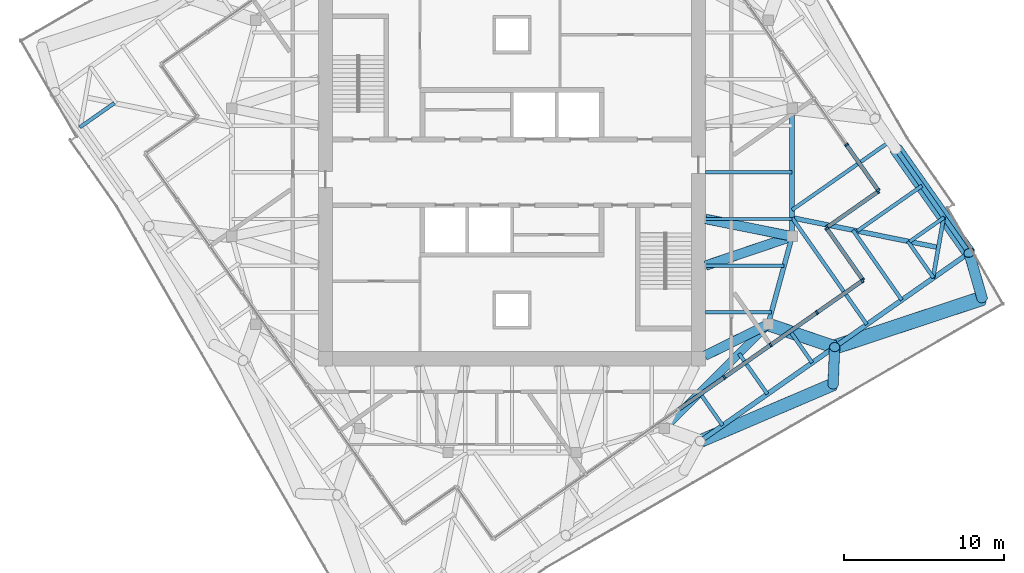
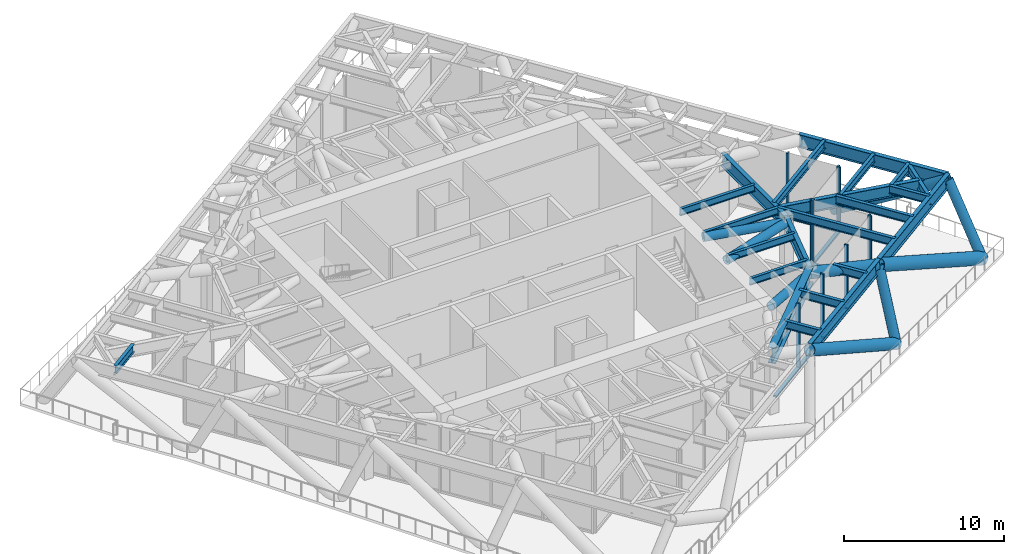
# One storey, part 3 of 16: 26 members, 22 beams, 4 elements without a shape of their own.
"""IFC4 building model written with IfcOpenShell, lengths in metres."""

from ifc_helpers import new_model, si_unit, direction, frame, origin, origin_2d, place, context, subcontext, project, spatial, rectangle, hollow_circle, i_section, extrude, material, material_profile, profile_set, type_object, element, aggregate, save


model = new_model("IFC4")

# Units and contexts
model_context = context("Model", 3, precision=1e-05, world=origin(), true_north=direction((0.0, 1.0)))
body_context = subcontext(model_context, "Body", "Model", "MODEL_VIEW")
ifc_project = project(units=[si_unit("LENGTHUNIT", "METRE"), si_unit("AREAUNIT", "SQUARE_METRE"), si_unit("VOLUMEUNIT", "CUBIC_METRE"), si_unit("PLANEANGLEUNIT", "RADIAN"), si_unit("MASSUNIT", "GRAM", prefix="KILO")], contexts=[model_context])

# Site, building, storey
site_placement = place(None, origin())
site = spatial("IfcSite", under=ifc_project, at=site_placement, CompositionType="ELEMENT")
building_placement = place(site_placement, origin())
building = spatial("IfcBuilding", under=site, at=building_placement, Name="Torsade Residences", CompositionType="ELEMENT")
storey_placement = place(building_placement, frame((0.0, 0.0, 235.39990234375)))
storey = spatial("IfcBuildingStorey", under=building, at=storey_placement, Name="L65", CompositionType="ELEMENT", Elevation=235.39990234375)

# Beams
ifc_material_1 = material(Name="Steel grade 300", Category="steel")
ifc_material_profile_1 = material_profile(ifc_material_1, i_section(OverallWidth=0.300048828125, OverallDepth=0.89990234375, WebThickness=0.011962890625, FlangeThickness=0.02490234375, at=origin_2d()), Name="900WB175")
ifc_profile_set_1 = profile_set([ifc_material_profile_1], Name="Steel grade 300")
beam_type_1 = type_object("IfcBeamType", Name="CORNER GIRDER 900WB175", PredefinedType="BEAM", material=ifc_profile_set_1)
beam_1_placement = place(storey_placement, frame((66.635986328125, 25.303466796875, 4.400146484375), z_axis=(-0.979880626756, 0.199584461589, 0.0), x_axis=(-0.199584461589, -0.979880626756, 0.0)))
element("IfcBeam", 1, at=beam_1_placement, inside=storey, type_object=beam_type_1, Name="Corner girder 05 L66", PredefinedType="BEAM", context=body_context, shape_type="SweptSolid", body=[
    extrude(i_section(OverallWidth=0.300048828125, OverallDepth=0.89990234375, WebThickness=0.011962890625, FlangeThickness=0.02490234375, at=origin_2d()), origin(), (0.0, 0.0, 1.0), 9.323486328125),
])
ifc_material_2 = material(Name="Steel grade 300", Category="steel")
ifc_material_profile_2 = material_profile(ifc_material_2, i_section(OverallWidth=0.25, OverallDepth=0.699951171875, WebThickness=0.010009765625, FlangeThickness=0.02001953125, at=origin_2d()), Name="700WB130")
ifc_profile_set_2 = profile_set([ifc_material_profile_2], Name="Steel grade 300")
beam_type_2 = type_object("IfcBeamType", Name="CORNER TRIMMER 700WB130", PredefinedType="BEAM", material=ifc_profile_set_2)
beam_2_placement = place(storey_placement, frame((66.9736328125, 27.21826171875, 4.5), z_axis=(-0.173645660267, -0.984808196894, 0.0), x_axis=(0.984808196894, -0.173645660267, 0.0)))
element("IfcBeam", 2, at=beam_2_placement, inside=storey, type_object=beam_type_2, Name="Corner trimmer 05 L66", PredefinedType="BEAM", context=body_context, shape_type="SweptSolid", body=[
    extrude(i_section(OverallWidth=0.25, OverallDepth=0.699951171875, WebThickness=0.010009765625, FlangeThickness=0.02001953125, at=origin_2d()), origin(), (0.0, 0.0, 1.0), 3.888916015625),
])

# Curtain wall, members
ifc_material_3 = material(Name="Aluminium and glass", Category="aluminium")
curtain_wall_type = type_object("IfcCurtainWallType", Name="TRANSFER LEVEL CURTAIN WALL HIGH ZONE", PredefinedType="NOTDEFINED", material=ifc_material_3)
curtain_wall_1_placement = place(storey_placement, origin())
curtain_wall_1 = element("IfcCurtainWall", 3, at=curtain_wall_1_placement, inside=storey, type_object=curtain_wall_type, Name="Curtain wall L65 face 1", PredefinedType="NOTDEFINED")
ifc_material_4 = material(Name="Aluminium mullion", Category="aluminium")
ifc_material_profile_3 = material_profile(ifc_material_4, rectangle(XDim=0.25, YDim=0.1201171875, at=origin_2d()), Name="HIGH ZONE TRANSFER CURTAIN WALL MULLION 250x120")
ifc_profile_set_3 = profile_set([ifc_material_profile_3], Name="Aluminium mullion")
member_type_1 = type_object("IfcMemberType", Name="HIGH ZONE TRANSFER CURTAIN WALL MULLION 250x120", PredefinedType="MULLION", material=ifc_profile_set_3)
member_1_placement = place(storey_placement, frame((53.269287109375, 17.1953125, 0.0), z_axis=(0.0, 0.0, 1.0), x_axis=(-0.57357645894, 0.819152028472, 0.0)))
member_1 = element("IfcMember", 4, at=member_1_placement, type_object=member_type_1, Name="Mullion 6", PredefinedType="MULLION", context=body_context, shape_type="SweptSolid", body=[
    extrude(rectangle(XDim=0.25, YDim=0.1201171875, at=origin_2d()), origin(), (0.0, 0.0, 1.0), 5.0),
])
member_2_placement = place(storey_placement, frame((56.15673828125, 19.217041015625, 0.0), z_axis=(0.0, 0.0, 1.0), x_axis=(-0.57357645894, 0.819152028472, 0.0)))
member_2 = element("IfcMember", 5, at=member_2_placement, type_object=member_type_1, Name="Mullion 7", PredefinedType="MULLION", context=body_context, shape_type="SweptSolid", body=[
    extrude(rectangle(XDim=0.25, YDim=0.1201171875, at=origin_2d()), origin(), (0.0, 0.0, 1.0), 5.0),
])
member_3_placement = place(storey_placement, frame((59.044189453125, 21.239013671875, 0.0), z_axis=(0.0, 0.0, 1.0), x_axis=(-0.57357645894, 0.819152028472, 0.0)))
member_3 = element("IfcMember", 6, at=member_3_placement, type_object=member_type_1, Name="Mullion 8", PredefinedType="MULLION", context=body_context, shape_type="SweptSolid", body=[
    extrude(rectangle(XDim=0.25, YDim=0.1201171875, at=origin_2d()), origin(), (0.0, 0.0, 1.0), 5.0),
])
member_4_placement = place(storey_placement, frame((61.882568359375, 23.226318359375, 0.0), z_axis=(0.0, 0.0, 1.0), x_axis=(-0.57357645894, 0.819152028472, 0.0)))
member_4 = element("IfcMember", 7, at=member_4_placement, type_object=member_type_1, Name="Mullion 9", PredefinedType="MULLION", context=body_context, shape_type="SweptSolid", body=[
    extrude(rectangle(XDim=0.25, YDim=0.1201171875, at=origin_2d()), origin(), (0.0, 0.0, 1.0), 5.0),
])

curtain_wall_2_placement = place(storey_placement, origin())
curtain_wall_2 = element("IfcCurtainWall", 8, at=curtain_wall_2_placement, inside=storey, type_object=curtain_wall_type, Name="Curtain wall L65 face 2", PredefinedType="NOTDEFINED")
member_5_placement = place(storey_placement, frame((61.8974609375, 23.309814453125, 0.0), z_axis=(0.0, 0.0, 1.0), x_axis=(-0.819152117278, -0.573576332112, 0.0)))
member_5 = element("IfcMember", 9, at=member_5_placement, type_object=member_type_1, Name="Mullion 1", PredefinedType="MULLION", context=body_context, shape_type="SweptSolid", body=[
    extrude(rectangle(XDim=0.25, YDim=0.1201171875, at=origin_2d()), origin(), (0.0, 0.0, 1.0), 5.0),
])
member_6_placement = place(storey_placement, frame((59.671875, 26.48828125, 0.0), z_axis=(0.0, 0.0, 1.0), x_axis=(-0.819152117278, -0.573576332112, 0.0)))
member_6 = element("IfcMember", 10, at=member_6_placement, type_object=member_type_1, Name="Mullion 2", PredefinedType="MULLION", context=body_context, shape_type="SweptSolid", body=[
    extrude(rectangle(XDim=0.25, YDim=0.1201171875, at=origin_2d()), origin(), (0.0, 0.0, 1.0), 5.0),
])

curtain_wall_3_placement = place(storey_placement, origin())
curtain_wall_3 = element("IfcCurtainWall", 11, at=curtain_wall_3_placement, inside=storey, type_object=curtain_wall_type, Name="Curtain wall L65 face 3", PredefinedType="NOTDEFINED")
member_7_placement = place(storey_placement, frame((59.6865234375, 26.57177734375, 0.0), z_axis=(0.0, 0.0, 1.0), x_axis=(-0.573576499872, 0.819151999811, 0.0)))
member_7 = element("IfcMember", 12, at=member_7_placement, type_object=member_type_1, Name="Mullion 1", PredefinedType="MULLION", context=body_context, shape_type="SweptSolid", body=[
    extrude(rectangle(XDim=0.25, YDim=0.1201171875, at=origin_2d()), origin(), (0.0, 0.0, 1.0), 5.0),
])
member_8_placement = place(storey_placement, frame((62.864990234375, 28.79736328125, 0.0), z_axis=(0.0, 0.0, 1.0), x_axis=(-0.573576499872, 0.819151999811, 0.0)))
member_8 = element("IfcMember", 13, at=member_8_placement, type_object=member_type_1, Name="Mullion 2", PredefinedType="MULLION", context=body_context, shape_type="SweptSolid", body=[
    extrude(rectangle(XDim=0.25, YDim=0.1201171875, at=origin_2d()), origin(), (0.0, 0.0, 1.0), 5.0),
])

curtain_wall_4_placement = place(storey_placement, origin())
curtain_wall_4 = element("IfcCurtainWall", 14, at=curtain_wall_4_placement, inside=storey, type_object=curtain_wall_type, Name="Curtain wall L65 face 4", PredefinedType="NOTDEFINED")
member_9_placement = place(storey_placement, frame((62.879638671875, 28.880859375, 0.0), z_axis=(0.0, 0.0, 1.0), x_axis=(-0.819152028472, -0.57357645894, 0.0)))
member_9 = element("IfcMember", 15, at=member_9_placement, type_object=member_type_1, Name="Mullion 1", PredefinedType="MULLION", context=body_context, shape_type="SweptSolid", body=[
    extrude(rectangle(XDim=0.25, YDim=0.1201171875, at=origin_2d()), origin(), (0.0, 0.0, 1.0), 5.0),
])
member_10_placement = place(storey_placement, frame((60.892333984375, 31.71923828125, 0.0), z_axis=(0.0, 0.0, 1.0), x_axis=(-0.819152028472, -0.57357645894, 0.0)))
member_10 = element("IfcMember", 16, at=member_10_placement, type_object=member_type_1, Name="Mullion 2", PredefinedType="MULLION", context=body_context, shape_type="SweptSolid", body=[
    extrude(rectangle(XDim=0.25, YDim=0.1201171875, at=origin_2d()), origin(), (0.0, 0.0, 1.0), 5.0),
])

# Member
ifc_material_5 = material(Name="Aluminium transom", Category="aluminium")
ifc_material_profile_4 = material_profile(ifc_material_5, rectangle(XDim=0.25, YDim=0.139892578125, at=origin_2d()), Name="HIGH ZONE TRANSFER CURTAIN WALL TRANSOM 250x140")
ifc_profile_set_4 = profile_set([ifc_material_profile_4], Name="Aluminium transom")
member_type_2 = type_object("IfcMemberType", Name="HIGH ZONE TRANSFER CURTAIN WALL TRANSOM 250x140", PredefinedType="USERDEFINED", material=ifc_profile_set_4)
member_11_placement = place(storey_placement, frame((50.430908203125, 15.207763671875, 0.070068359375), z_axis=(0.819147702826, 0.573582636552, 0.0), x_axis=(-0.573582636552, 0.819147702826, 0.0)))
member_11 = element("IfcMember", 17, at=member_11_placement, type_object=member_type_2, Name="Transom 5.1", ObjectType="TRANSOM", PredefinedType="USERDEFINED", context=body_context, shape_type="SweptSolid", body=[
    extrude(rectangle(XDim=0.25, YDim=0.139892578125, at=origin_2d()), origin(), (0.0, 0.0, 1.0), 3.405029296875),
])

member_12_placement = place(storey_placement, frame((53.318359375, 17.229736328125, 0.070068359375), z_axis=(0.819181389945, 0.573534524129, 0.0), x_axis=(-0.573534524129, 0.819181389945, 0.0)))
member_12 = element("IfcMember", 18, at=member_12_placement, type_object=member_type_2, Name="Transom 6.1", ObjectType="TRANSOM", PredefinedType="USERDEFINED", context=body_context, shape_type="SweptSolid", body=[
    extrude(rectangle(XDim=0.25, YDim=0.139892578125, at=origin_2d()), origin(), (0.0, 0.0, 1.0), 3.405029296875),
])

member_13_placement = place(storey_placement, frame((56.205810546875, 19.25146484375, 0.070068359375), z_axis=(0.819147702826, 0.573582636552, 0.0), x_axis=(-0.573582636552, 0.819147702826, 0.0)))
member_13 = element("IfcMember", 19, at=member_13_placement, type_object=member_type_2, Name="Transom 7.1", ObjectType="TRANSOM", PredefinedType="USERDEFINED", context=body_context, shape_type="SweptSolid", body=[
    extrude(rectangle(XDim=0.25, YDim=0.139892578125, at=origin_2d()), origin(), (0.0, 0.0, 1.0), 3.405029296875),
])

member_14_placement = place(storey_placement, frame((59.093505859375, 21.2734375, 0.070068359375), z_axis=(0.819166763085, 0.573555415158, 0.0), x_axis=(-0.573555415158, 0.819166763085, 0.0)))
member_14 = element("IfcMember", 20, at=member_14_placement, type_object=member_type_2, Name="Transom 8.1", ObjectType="TRANSOM", PredefinedType="USERDEFINED", context=body_context, shape_type="SweptSolid", body=[
    extrude(rectangle(XDim=0.25, YDim=0.139892578125, at=origin_2d()), origin(), (0.0, 0.0, 1.0), 3.344970703125),
])

aggregate(curtain_wall_1, [member_1, member_2, member_3, member_4, member_11, member_12, member_13, member_14])

member_15_placement = place(storey_placement, frame((61.863037109375, 23.359130859375, 0.070068359375), z_axis=(-0.573614860738, 0.8191251379, 0.0), x_axis=(-0.8191251379, -0.573614860738, 0.0)))
member_15 = element("IfcMember", 21, at=member_15_placement, type_object=member_type_2, Name="Transom 1.1", ObjectType="TRANSOM", PredefinedType="USERDEFINED", context=body_context, shape_type="SweptSolid", body=[
    extrude(rectangle(XDim=0.25, YDim=0.139892578125, at=origin_2d()), origin(), (0.0, 0.0, 1.0), 3.760009765625),
])

aggregate(curtain_wall_2, [member_5, member_6, member_15])

member_16_placement = place(storey_placement, frame((59.73583984375, 26.606201171875, 0.070068359375), z_axis=(0.8191251379, 0.573614860738, 0.0), x_axis=(-0.573614860738, 0.8191251379, 0.0)))
member_16 = element("IfcMember", 22, at=member_16_placement, type_object=member_type_2, Name="Transom 1.1", ObjectType="TRANSOM", PredefinedType="USERDEFINED", context=body_context, shape_type="SweptSolid", body=[
    extrude(rectangle(XDim=0.25, YDim=0.139892578125, at=origin_2d()), origin(), (0.0, 0.0, 1.0), 3.760009765625),
])

aggregate(curtain_wall_3, [member_7, member_8, member_16])

member_17_placement = place(storey_placement, frame((62.84521484375, 28.929931640625, 0.070068359375), z_axis=(-0.573521123265, 0.819190772146, 0.0), x_axis=(-0.819190772146, -0.573521123265, 0.0)))
member_17 = element("IfcMember", 23, at=member_17_placement, type_object=member_type_2, Name="Transom 1.1", ObjectType="TRANSOM", PredefinedType="USERDEFINED", context=body_context, shape_type="SweptSolid", body=[
    extrude(rectangle(XDim=0.25, YDim=0.139892578125, at=origin_2d()), origin(), (0.0, 0.0, 1.0), 3.344970703125),
])

aggregate(curtain_wall_4, [member_9, member_10, member_17])

# Beams
ifc_material_6 = material(Name="Steel grade 300", Category="steel")
ifc_material_profile_5 = material_profile(ifc_material_6, i_section(OverallWidth=0.208984375, OverallDepth=0.528076171875, WebThickness=0.009521484375, FlangeThickness=0.01318359375, FilletRadius=0.013916015625, at=origin_2d()), Name="530UB82.0")
ifc_profile_set_5 = profile_set([ifc_material_profile_5], Name="Steel grade 300")
beam_type_3 = type_object("IfcBeamType", Name="INNER FLOOR BEAM 530UB82.0", PredefinedType="JOIST", material=ifc_profile_set_5)
beam_3_placement = place(storey_placement, frame((52.10009765625, 21.262451171875, 4.586181640625), z_axis=(1.0, 0.0, 0.0), x_axis=(0.0, 1.0, 0.0)))
element("IfcBeam", 24, at=beam_3_placement, inside=storey, type_object=beam_type_3, Name="Inner floor beam IE01 L66", PredefinedType="JOIST", context=body_context, shape_type="SweptSolid", body=[
    extrude(i_section(OverallWidth=0.208984375, OverallDepth=0.528076171875, WebThickness=0.009521484375, FlangeThickness=0.01318359375, FilletRadius=0.013916015625, at=origin_2d()), origin(), (0.0, 0.0, 1.0), 4.10791015625),
])
beam_4_placement = place(storey_placement, frame((52.10009765625, 24.175048828125, 4.586181640625), z_axis=(1.0, 0.0, 0.0), x_axis=(0.0, 1.0, 0.0)))
element("IfcBeam", 25, at=beam_4_placement, inside=storey, type_object=beam_type_3, Name="Inner floor beam IE02 L66", PredefinedType="JOIST", context=body_context, shape_type="SweptSolid", body=[
    extrude(i_section(OverallWidth=0.208984375, OverallDepth=0.528076171875, WebThickness=0.009521484375, FlangeThickness=0.01318359375, FilletRadius=0.013916015625, at=origin_2d()), origin(), (0.0, 0.0, 1.0), 4.902099609375),
])
for number, where, z_axis, x_axis, name in (
    (26, (52.10009765625, 27.08740234375, 4.586181640625), (1.0, 0.0, 0.0), (0.0, 1.0, 0.0), "Inner floor beam IE03 L66"),
    (27, (52.10009765625, 30.0, 4.586181640625), (1.0, 0.0, 0.0), (0.0, 1.0, 0.0), "Inner floor beam IE04 L66"),
):
    element("IfcBeam", number, at=place(storey_placement, frame(where, z_axis=z_axis, x_axis=x_axis)), inside=storey, type_object=beam_type_3, Name=name, PredefinedType="JOIST", context=body_context, shape_type="SweptSolid", body=[
        extrude(i_section(OverallWidth=0.208984375, OverallDepth=0.528076171875, WebThickness=0.009521484375, FlangeThickness=0.01318359375, FilletRadius=0.013916015625, at=origin_2d()), origin(), (0.0, 0.0, 1.0), 5.39990234375),
    ])
ifc_material_7 = material(Name="Steel grade 300", Category="steel")
ifc_material_profile_6 = material_profile(ifc_material_7, i_section(OverallWidth=0.5, OverallDepth=1.199951171875, WebThickness=0.01611328125, FlangeThickness=0.0400390625, at=origin_2d()), Name="1200WB455")
ifc_profile_set_6 = profile_set([ifc_material_profile_6], Name="Steel grade 300")
beam_type_4 = type_object("IfcBeamType", Name="RING CORNER GIRDER 1200WB455", PredefinedType="BEAM", material=ifc_profile_set_6)
beam_5_placement = place(storey_placement, frame((49.5, 14.0, 4.25), z_axis=(0.707106781187, 0.707106781187, 0.0), x_axis=(-0.707106781187, 0.707106781187, 0.0)))
element("IfcBeam", 28, at=beam_5_placement, inside=storey, type_object=beam_type_4, Name="Ring girder IR15 L66", PredefinedType="BEAM", context=body_context, shape_type="SweptSolid", body=[
    extrude(i_section(OverallWidth=0.5, OverallDepth=1.199951171875, WebThickness=0.01611328125, FlangeThickness=0.0400390625, at=origin_2d()), origin(), (0.0, 0.0, 1.0), 9.1923828125),
])
ifc_material_8 = material(Name="Steel grade 300", Category="steel")
ifc_material_profile_7 = material_profile(ifc_material_8, i_section(OverallWidth=0.300048828125, OverallDepth=1.0, WebThickness=0.01611328125, FlangeThickness=0.028076171875, at=origin_2d()), Name="1000WB215")
ifc_profile_set_7 = profile_set([ifc_material_profile_7], Name="Steel grade 300")
beam_type_5 = type_object("IfcBeamType", Name="RING GIRDER 1000WB215", PredefinedType="BEAM", material=ifc_profile_set_7)
beam_6_placement = place(storey_placement, frame((57.5, 26.0, 4.35009765625), z_axis=(0.0, 1.0, 0.0), x_axis=(-1.0, 0.0, 0.0)))
element("IfcBeam", 29, at=beam_6_placement, inside=storey, type_object=beam_type_5, Name="Ring girder IR01 L66", PredefinedType="BEAM", context=body_context, shape_type="SweptSolid", body=[
    extrude(i_section(OverallWidth=0.300048828125, OverallDepth=1.0, WebThickness=0.01611328125, FlangeThickness=0.028076171875, at=origin_2d()), origin(), (0.0, 0.0, 1.0), 8.0),
])
beam_7_placement = place(storey_placement, frame((56.0, 20.5, 4.35009765625), z_axis=(0.263117405792, 0.964763821238, 0.0), x_axis=(-0.964763821238, 0.263117405792, 0.0)))
element("IfcBeam", 30, at=beam_7_placement, inside=storey, type_object=beam_type_5, Name="Ring girder IR16 L66", PredefinedType="BEAM", context=body_context, shape_type="SweptSolid", body=[
    extrude(i_section(OverallWidth=0.300048828125, OverallDepth=1.0, WebThickness=0.01611328125, FlangeThickness=0.028076171875, at=origin_2d()), origin(), (0.0, 0.0, 1.0), 5.700927734375),
])
ifc_material_9 = material(Name="Steel grade 300", Category="steel")
ifc_material_profile_8 = material_profile(ifc_material_9, i_section(OverallWidth=0.22900390625, OverallDepth=0.612060546875, WebThickness=0.011962890625, FlangeThickness=0.01953125, FilletRadius=0.013916015625, at=origin_2d()), Name="610UB125")
ifc_profile_set_8 = profile_set([ifc_material_profile_8], Name="Steel grade 300")
beam_type_6 = type_object("IfcBeamType", Name="SECONDARY BEAM 610UB125", PredefinedType="JOIST", material=ifc_profile_set_8)
beam_8_placement = place(storey_placement, frame((53.15771484375, 14.187255859375, 4.544189453125), z_axis=(-0.573547823109, 0.819172078752, 0.0), x_axis=(-0.819172078752, -0.573547823109, 0.0)))
element("IfcBeam", 31, at=beam_8_placement, inside=storey, type_object=beam_type_6, Name="Floor beam FS07 L66", PredefinedType="JOIST", context=body_context, shape_type="SweptSolid", body=[
    extrude(i_section(OverallWidth=0.22900390625, OverallDepth=0.612060546875, WebThickness=0.011962890625, FlangeThickness=0.01953125, FilletRadius=0.013916015625, at=origin_2d()), origin(), (0.0, 0.0, 1.0), 2.491943359375),
])
beam_9_placement = place(storey_placement, frame((55.95654296875, 16.14697265625, 4.544189453125), z_axis=(-0.573600013401, 0.819135534955, 0.0), x_axis=(-0.819135534955, -0.573600013401, 0.0)))
element("IfcBeam", 32, at=beam_9_placement, inside=storey, type_object=beam_type_6, Name="Floor beam FS08 L66", PredefinedType="JOIST", context=body_context, shape_type="SweptSolid", body=[
    extrude(i_section(OverallWidth=0.22900390625, OverallDepth=0.612060546875, WebThickness=0.011962890625, FlangeThickness=0.01953125, FilletRadius=0.013916015625, at=origin_2d()), origin(), (0.0, 0.0, 1.0), 3.09423828125),
])
beam_10_placement = place(storey_placement, frame((58.755126953125, 18.106689453125, 4.544189453125), z_axis=(-0.573560664637, 0.819163087535, 0.0), x_axis=(-0.819163087535, -0.573560664637, 0.0)))
element("IfcBeam", 33, at=beam_10_placement, inside=storey, type_object=beam_type_6, Name="Floor beam FS09 L66", PredefinedType="JOIST", context=body_context, shape_type="SweptSolid", body=[
    extrude(i_section(OverallWidth=0.22900390625, OverallDepth=0.612060546875, WebThickness=0.011962890625, FlangeThickness=0.01953125, FilletRadius=0.013916015625, at=origin_2d()), origin(), (0.0, 0.0, 1.0), 2.3330078125),
])
beam_11_placement = place(storey_placement, frame((62.16845703125, 20.49658203125, 4.544189453125), z_axis=(-0.573577087251, 0.819151588523, 0.0), x_axis=(-0.819151588523, -0.573577087251, 0.0)))
element("IfcBeam", 34, at=beam_11_placement, inside=storey, type_object=beam_type_6, Name="Floor beam FS10 L66", PredefinedType="JOIST", context=body_context, shape_type="SweptSolid", body=[
    extrude(i_section(OverallWidth=0.22900390625, OverallDepth=0.612060546875, WebThickness=0.011962890625, FlangeThickness=0.01953125, FilletRadius=0.013916015625, at=origin_2d()), origin(), (0.0, 0.0, 1.0), 8.13916015625),
])
beam_12_placement = place(storey_placement, frame((64.352783203125, 22.026123046875, 4.544189453125), z_axis=(-0.573597638513, 0.819137197966, 0.0), x_axis=(-0.819137197966, -0.573597638513, 0.0)))
element("IfcBeam", 35, at=beam_12_placement, inside=storey, type_object=beam_type_6, Name="Floor beam FS11 L66", PredefinedType="JOIST", context=body_context, shape_type="SweptSolid", body=[
    extrude(i_section(OverallWidth=0.22900390625, OverallDepth=0.612060546875, WebThickness=0.011962890625, FlangeThickness=0.01953125, FilletRadius=0.013916015625, at=origin_2d()), origin(), (0.0, 0.0, 1.0), 5.328369140625),
])
beam_13_placement = place(storey_placement, frame((66.332275390625, 23.412353515625, 4.544189453125), z_axis=(-0.573521270253, 0.819190669238, 0.0), x_axis=(-0.819190669238, -0.573521270253, 0.0)))
element("IfcBeam", 36, at=beam_13_placement, inside=storey, type_object=beam_type_6, Name="Floor beam FS12 L66", PredefinedType="JOIST", context=body_context, shape_type="SweptSolid", body=[
    extrude(i_section(OverallWidth=0.22900390625, OverallDepth=0.612060546875, WebThickness=0.011962890625, FlangeThickness=0.01953125, FilletRadius=0.013916015625, at=origin_2d()), origin(), (0.0, 0.0, 1.0), 2.780517578125),
])
beam_14_placement = place(storey_placement, frame((66.99755859375, 27.184326171875, 4.544189453125), z_axis=(-0.819140666445, -0.573592685254, 0.0), x_axis=(0.573592685254, -0.819140666445, 0.0)))
element("IfcBeam", 37, at=beam_14_placement, inside=storey, type_object=beam_type_6, Name="Floor beam FE01 L66", PredefinedType="JOIST", context=body_context, shape_type="SweptSolid", body=[
    extrude(i_section(OverallWidth=0.22900390625, OverallDepth=0.612060546875, WebThickness=0.011962890625, FlangeThickness=0.01953125, FilletRadius=0.013916015625, at=origin_2d()), origin(), (0.0, 0.0, 1.0), 2.639892578125),
])
beam_15_placement = place(storey_placement, frame((65.611328125, 29.163818359375, 4.544189453125), z_axis=(-0.819152843027, -0.573575295634, 0.0), x_axis=(0.573575295634, -0.819152843027, 0.0)))
element("IfcBeam", 38, at=beam_15_placement, inside=storey, type_object=beam_type_6, Name="Floor beam FE02 L66", PredefinedType="JOIST", context=body_context, shape_type="SweptSolid", body=[
    extrude(i_section(OverallWidth=0.22900390625, OverallDepth=0.612060546875, WebThickness=0.011962890625, FlangeThickness=0.01953125, FilletRadius=0.013916015625, at=origin_2d()), origin(), (0.0, 0.0, 1.0), 4.931884765625),
])
beam_16_placement = place(storey_placement, frame((63.651611328125, 31.962646484375, 4.544189453125), z_axis=(-0.819154019917, -0.573573614851, 0.0), x_axis=(0.573573614851, -0.819154019917, 0.0)))
element("IfcBeam", 39, at=beam_16_placement, inside=storey, type_object=beam_type_6, Name="Floor beam FE03 L66", PredefinedType="JOIST", context=body_context, shape_type="SweptSolid", body=[
    extrude(i_section(OverallWidth=0.22900390625, OverallDepth=0.612060546875, WebThickness=0.011962890625, FlangeThickness=0.01953125, FilletRadius=0.013916015625, at=origin_2d()), origin(), (0.0, 0.0, 1.0), 7.509765625),
])
beam_17_placement = place(storey_placement, frame((13.00244140625, 32.815673828125, 4.544189453125), z_axis=(0.819140666445, 0.573592685254, 0.0), x_axis=(-0.573592685254, 0.819140666445, 0.0)))
element("IfcBeam", 40, at=beam_17_placement, inside=storey, type_object=beam_type_6, Name="Floor beam FW01 L66", PredefinedType="JOIST", context=body_context, shape_type="SweptSolid", body=[
    extrude(i_section(OverallWidth=0.22900390625, OverallDepth=0.612060546875, WebThickness=0.011962890625, FlangeThickness=0.01953125, FilletRadius=0.013916015625, at=origin_2d()), origin(), (0.0, 0.0, 1.0), 2.639892578125),
])

# Members
ifc_material_10 = material(Name="Steel grade 450", Category="steel")
ifc_material_profile_9 = material_profile(ifc_material_10, hollow_circle(Radius=0.304931640625, WallThickness=0.01611328125, at=origin_2d()), Name="610.0x16.0CHS")
ifc_profile_set_9 = profile_set([ifc_material_profile_9], Name="Steel grade 450")
member_type_3 = type_object("IfcMemberType", Name="TRANSFER FLOOR BRACE 610.0x16.0CHS", PredefinedType="BRACE", material=ifc_profile_set_9)
member_18_placement = place(storey_placement, frame((57.5, 26.0, 4.35009765625), z_axis=(-0.980201418973, 0.197387517864, 0.015599552377), x_axis=(-0.197411538983, -0.980320704809, 0.0)))
element("IfcMember", 41, at=member_18_placement, inside=storey, type_object=member_type_3, Name="Transfer floor brace TT7 top IR01IE03", PredefinedType="BRACE", context=body_context, shape_type="SweptSolid", body=[
    extrude(hollow_circle(Radius=0.304931640625, WallThickness=0.01611328125, at=origin_2d()), origin(), (0.0, 0.0, 1.0), 5.509033203125),
])
member_19_placement = place(storey_placement, frame((57.5, 26.0, 4.35009765625), z_axis=(-0.947252495944, -0.320133484365, 0.01507518214), x_axis=(0.320169867513, -0.947360151124, 0.0)))
element("IfcMember", 42, at=member_19_placement, inside=storey, type_object=member_type_3, Name="Transfer floor brace TT7 top IR01IE02", PredefinedType="BRACE", context=body_context, shape_type="SweptSolid", body=[
    extrude(hollow_circle(Radius=0.304931640625, WallThickness=0.01611328125, at=origin_2d()), origin(), (0.0, 0.0, 1.0), 5.70068359375),
])
member_20_placement = place(storey_placement, frame((56.0, 20.5, 4.35009765625), z_axis=(-0.896469701914, -0.443105036702, 0.0), x_axis=(0.443105036702, -0.896469701914, 0.0)))
element("IfcMember", 43, at=member_20_placement, inside=storey, type_object=member_type_3, Name="Transfer floor brace TT7 top IR16C", PredefinedType="BRACE", context=body_context, shape_type="SweptSolid", body=[
    extrude(hollow_circle(Radius=0.304931640625, WallThickness=0.01611328125, at=origin_2d()), origin(), (0.0, 0.0, 1.0), 4.40234375),
])
ifc_material_11 = material(Name="Steel grade 450", Category="steel")
ifc_material_profile_10 = material_profile(ifc_material_11, hollow_circle(Radius=0.406494140625, WallThickness=0.02490234375, at=origin_2d()), Name="813.0x25.0CHS")
ifc_profile_set_10 = profile_set([ifc_material_profile_10], Name="Steel grade 450")
member_type_4 = type_object("IfcMemberType", Name="TRANSFER FLOOR STRUT 813.0x25.0CHS", PredefinedType="STRUT", material=ifc_profile_set_10)
member_21_placement = place(storey_placement, frame((60.154541015625, 19.08642578125, 4.35009765625), z_axis=(-0.946701170915, 0.322113167985, 0.0), x_axis=(-0.322113167985, -0.946701170915, 0.0)))
element("IfcMember", 44, at=member_21_placement, inside=storey, type_object=member_type_4, Name="Transfer floor strut TT7 top 04IR16", PredefinedType="STRUT", context=body_context, shape_type="SweptSolid", body=[
    extrude(hollow_circle(Radius=0.406494140625, WallThickness=0.02490234375, at=origin_2d()), origin(), (0.0, 0.0, 1.0), 4.388427734375),
])

# Beams
ifc_material_12 = material(Name="Steel grade 300", Category="steel")
ifc_material_profile_11 = material_profile(ifc_material_12, i_section(OverallWidth=0.300048828125, OverallDepth=1.0, WebThickness=0.01611328125, FlangeThickness=0.028076171875, at=origin_2d()), Name="1000WB215")
ifc_profile_set_11 = profile_set([ifc_material_profile_11], Name="Steel grade 300")
beam_type_7 = type_object("IfcBeamType", Name="TRANSFER TRUSS CHORD 1000WB215", PredefinedType="USERDEFINED", material=ifc_profile_set_11)
beam_18_placement = place(storey_placement, frame((51.75830078125, 13.207275390625, 4.35009765625), z_axis=(0.819150225126, 0.573579034377, 0.0), x_axis=(-0.573579034377, 0.819150225126, 0.0)))
element("IfcBeam", 45, at=beam_18_placement, inside=storey, type_object=beam_type_7, Name="Transfer truss TT7 top chord 03", ObjectType="TRANSFER TRUSS CHORD", PredefinedType="USERDEFINED", context=body_context, shape_type="SweptSolid", body=[
    extrude(i_section(OverallWidth=0.300048828125, OverallDepth=1.0, WebThickness=0.01611328125, FlangeThickness=0.028076171875, at=origin_2d()), origin(), (0.0, 0.0, 1.0), 10.25),
])
beam_19_placement = place(storey_placement, frame((60.154541015625, 19.08642578125, 4.35009765625), z_axis=(0.819146870247, 0.573583825578, 0.0), x_axis=(-0.573583825578, 0.819146870247, 0.0)))
element("IfcBeam", 46, at=beam_19_placement, inside=storey, type_object=beam_type_7, Name="Transfer truss TT7 top chord 04", ObjectType="TRANSFER TRUSS CHORD", PredefinedType="USERDEFINED", context=body_context, shape_type="SweptSolid", body=[
    extrude(i_section(OverallWidth=0.300048828125, OverallDepth=1.0, WebThickness=0.01611328125, FlangeThickness=0.028076171875, at=origin_2d()), origin(), (0.0, 0.0, 1.0), 10.250244140625),
])
beam_20_placement = place(storey_placement, frame((68.551025390625, 24.9658203125, 4.35009765625), z_axis=(-0.573579034377, 0.819150225126, 0.0), x_axis=(-0.819150225126, -0.573579034377, 0.0)))
element("IfcBeam", 47, at=beam_20_placement, inside=storey, type_object=beam_type_7, Name="Transfer truss TT7 top chord 05", ObjectType="TRANSFER TRUSS CHORD", PredefinedType="USERDEFINED", context=body_context, shape_type="SweptSolid", body=[
    extrude(i_section(OverallWidth=0.300048828125, OverallDepth=1.0, WebThickness=0.01611328125, FlangeThickness=0.028076171875, at=origin_2d()), origin(), (0.0, 0.0, 1.0), 10.25),
])

# Members
ifc_material_13 = material(Name="Steel grade 450", Category="steel")
ifc_material_profile_12 = material_profile(ifc_material_13, hollow_circle(Radius=0.406494140625, WallThickness=0.02490234375, at=origin_2d()), Name="813.0x25.0CHS")
ifc_profile_set_12 = profile_set([ifc_material_profile_12], Name="Steel grade 450")
member_type_5 = type_object("IfcMemberType", Name="TRANSFER TRUSS DIAGONAL 813.0x25.0CHS", PredefinedType="BRACE", material=ifc_profile_set_12)
member_22_placement = place(storey_placement, frame((60.059814453125, 16.75537109375, -0.199951171875), z_axis=(-0.821139315929, -0.350957788383, 0.450065389259), x_axis=(0.393011776937, -0.919533437776, 0.0)))
element("IfcMember", 48, at=member_22_placement, inside=storey, type_object=member_type_5, Name="Transfer truss TT7 diagonal 03", PredefinedType="BRACE", context=body_context, shape_type="SweptSolid", body=[
    extrude(hollow_circle(Radius=0.406494140625, WallThickness=0.02490234375, at=origin_2d()), origin(), (0.0, 0.0, 1.0), 10.10986328125),
])
member_23_placement = place(storey_placement, frame((63.99462890625, 31.440185546875, -0.199951171875), z_axis=(0.498985243044, -0.709028005159, 0.498290091336), x_axis=(0.817784917216, 0.575523960556, 0.0)))
element("IfcMember", 49, at=member_23_placement, inside=storey, type_object=member_type_5, Name="Transfer truss TT7 diagonal 05", PredefinedType="BRACE", context=body_context, shape_type="SweptSolid", body=[
    extrude(hollow_circle(Radius=0.406494140625, WallThickness=0.02490234375, at=origin_2d()), origin(), (0.0, 0.0, 1.0), 9.13134765625),
])
ifc_material_14 = material(Name="Steel grade 450", Category="steel")
ifc_material_profile_13 = material_profile(ifc_material_14, hollow_circle(Radius=0.45703125, WallThickness=0.028076171875, at=origin_2d()), Name="914.0x28.0CHS")
ifc_profile_set_13 = profile_set([ifc_material_profile_13], Name="Steel grade 450")
member_type_6 = type_object("IfcMemberType", Name="TRANSFER TRUSS DIAGONAL 914.0x28.0CHS", PredefinedType="BRACE", material=ifc_profile_set_13)
member_24_placement = place(storey_placement, frame((69.36962890625, 22.13037109375, -0.199951171875), z_axis=(-0.859736145488, -0.283989674445, 0.424503975188), x_axis=(0.313653077457, -0.94953764907, 0.0)))
element("IfcMember", 50, at=member_24_placement, inside=storey, type_object=member_type_6, Name="Transfer truss TT7 diagonal 04", PredefinedType="BRACE", context=body_context, shape_type="SweptSolid", body=[
    extrude(hollow_circle(Radius=0.45703125, WallThickness=0.028076171875, at=origin_2d()), origin(), (0.0, 0.0, 1.0), 10.718505859375),
])
ifc_material_15 = material(Name="Steel grade 450", Category="steel")
ifc_material_profile_14 = material_profile(ifc_material_15, hollow_circle(Radius=0.330078125, WallThickness=0.01806640625, at=origin_2d()), Name="660.0x18.0CHS")
ifc_profile_set_14 = profile_set([ifc_material_profile_14], Name="Steel grade 450")
member_type_7 = type_object("IfcMemberType", Name="TRANSFER TRUSS RAKING STRUT 660.0x18.0CHS", PredefinedType="STRUT", material=ifc_profile_set_14)
member_25_placement = place(storey_placement, frame((60.059814453125, 16.75537109375, -0.199951171875), z_axis=(0.018525560781, 0.455881583355, 0.88984761929), x_axis=(-0.999175347152, 0.040603271334, 0.0)))
element("IfcMember", 51, at=member_25_placement, inside=storey, type_object=member_type_7, Name="Transfer truss TT7 raking strut 04", PredefinedType="STRUT", context=body_context, shape_type="SweptSolid", body=[
    extrude(hollow_circle(Radius=0.330078125, WallThickness=0.01806640625, at=origin_2d()), origin(), (0.0, 0.0, 1.0), 5.11328125),
])
member_26_placement = place(storey_placement, frame((69.36962890625, 22.13037109375, -0.199951171875), z_axis=(-0.150940300895, 0.522821549237, 0.838972379295), x_axis=(-0.960761714562, -0.277375067068, 0.0)))
element("IfcMember", 52, at=member_26_placement, inside=storey, type_object=member_type_7, Name="Transfer truss TT7 raking strut 05", PredefinedType="STRUT", context=body_context, shape_type="SweptSolid", body=[
    extrude(hollow_circle(Radius=0.330078125, WallThickness=0.01806640625, at=origin_2d()), origin(), (0.0, 0.0, 1.0), 5.42333984375),
])

save(model, "model.ifc")
